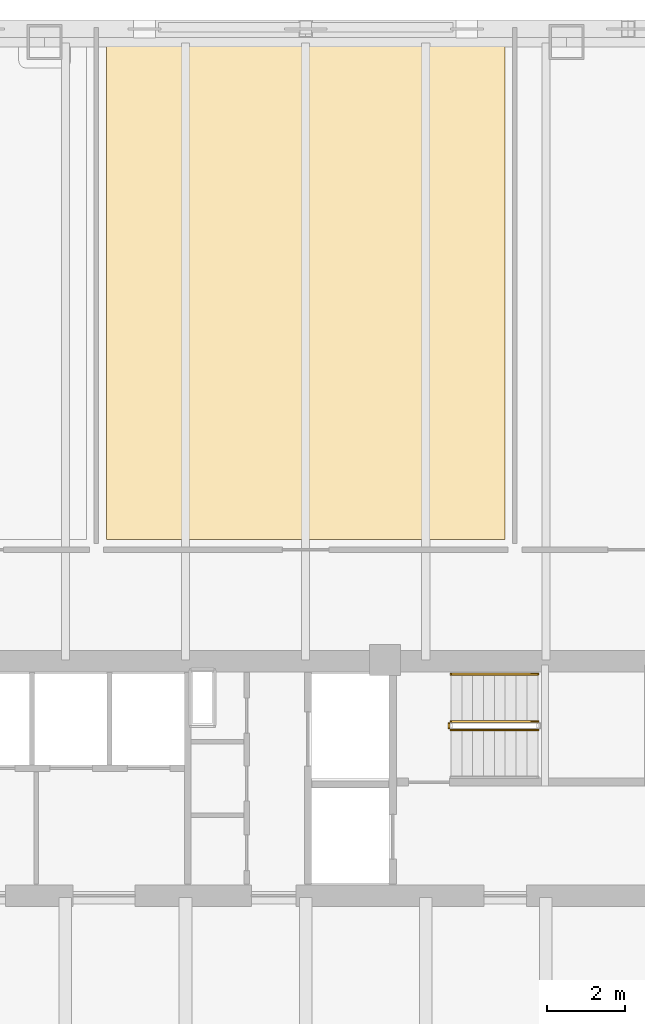
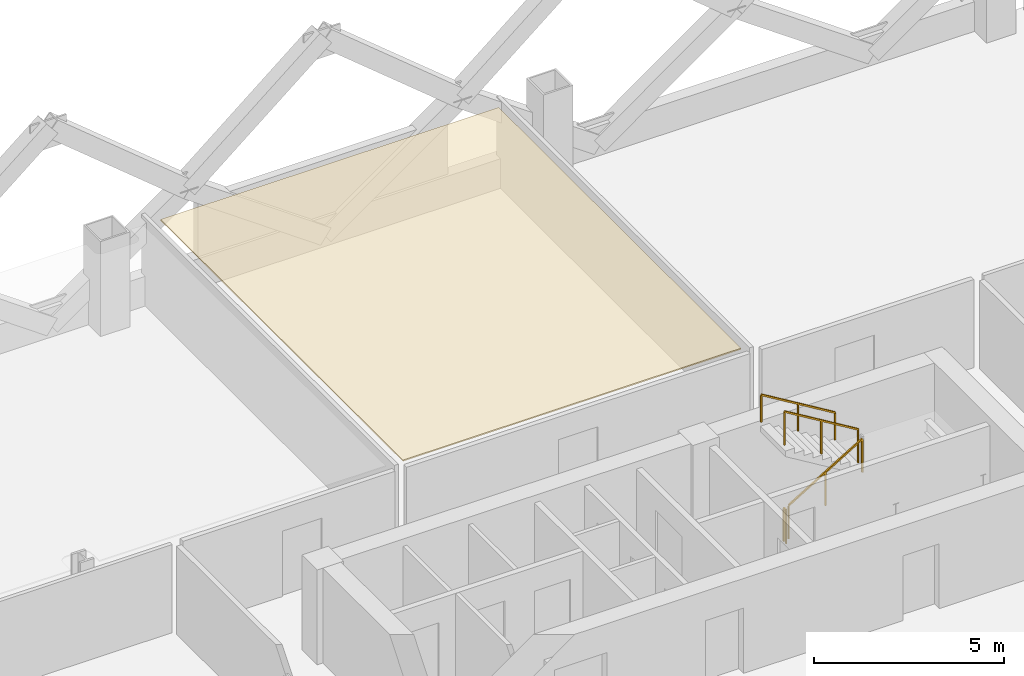
# One storey, part 10 of 12: 4 railings, 1 covering.
"""IFC4 building model written with IfcOpenShell, lengths in metres."""

from ifc_helpers import new_model, si_unit, direction, frame, origin, origin_2d, place, context, subcontext, project, spatial, polyline, rectangle, outline, extrude, material, layer, layer_set, type_object, element, save


model = new_model("IFC4")

# Units and contexts
model_context = context("Model", 3, precision=1e-05, world=origin(), true_north=direction((0.0, 1.0)))
body_context = subcontext(model_context, "Body", "Model", "MODEL_VIEW")
ifc_project = project(units=[si_unit("LENGTHUNIT", "METRE"), si_unit("AREAUNIT", "SQUARE_METRE"), si_unit("VOLUMEUNIT", "CUBIC_METRE"), si_unit("PLANEANGLEUNIT", "RADIAN"), si_unit("MASSUNIT", "GRAM", prefix="KILO")], contexts=[model_context])

# Site, building, storey
site_placement = place(None, origin())
site = spatial("IfcSite", under=ifc_project, at=site_placement, CompositionType="ELEMENT")
building_placement = place(site_placement, origin())
building = spatial("IfcBuilding", under=site, at=building_placement, Name="Qhalaya Broadcast Tower", CompositionType="ELEMENT")
storey_placement = place(building_placement, frame((0.0, 0.0, 50.5)))
storey = spatial("IfcBuildingStorey", under=building, at=storey_placement, Name="L14", CompositionType="ELEMENT", Elevation=50.5)

# Covering
ifc_material_1 = material(Name="Acoustic Mineral-Fibre Ceiling")
ifc_layer = layer(ifc_material_1, 0.0400390625, Name="Acoustic Mineral-Fibre Ceiling")
ifc_layer_set = layer_set([ifc_layer], Name="Acoustic Mineral-Fibre Ceiling")
covering_type = type_object("IfcCoveringType", Name="Acoustic Mineral-Fibre Suspended Ceiling CLG-01", PredefinedType="CEILING", material=ifc_layer_set)
covering_placement = place(storey_placement, frame((0.0, 0.0, 2.7900390625)))
element("IfcCovering", 1, at=covering_placement, inside=storey, type_object=covering_type, Name="L14 Acoustic Suspended Ceiling 02", PredefinedType="CEILING", context=body_context, shape_type="SweptSolid", body=[
    extrude(outline(polyline([(-5.139892578125, 25.820068359375), (-5.139892578125, 13.06005859375), (5.139892578125, 13.06005859375), (5.139892578125, 25.820068359375), (-5.139892578125, 25.820068359375)])), origin(), (0.0, 0.0, 1.0), 0.0400390625),
])

# Railings
ifc_material_2 = material(Name="Powder-Coated Galvanised Steel", Category="steel")
railing_type_1 = type_object("IfcRailingType", Name="Stair Wall Handrail 900", PredefinedType="HANDRAIL", material=ifc_material_2)
railing_1_placement = place(storey_placement, frame((5.989990234375, 9.590087890625, 1.6943359375)))
element("IfcRailing", 2, at=railing_1_placement, inside=storey, type_object=railing_type_1, Name="L14 ST-1 Stair Handrail 2", PredefinedType="HANDRAIL", context=body_context, shape_type="SweptSolid", body=[
    extrude(rectangle(XDim=0.048095703125, YDim=0.048095703125, at=origin_2d()), frame((0.0, 0.0, 0.8759765625), z_axis=(-0.855512035549, 0.0, 0.517782924622), x_axis=(0.0, -1.0, 0.0)), (0.0, 0.0, 1.0), 2.618408203125),
    extrude(rectangle(XDim=0.0419921875, YDim=0.0419921875, at=origin_2d()), origin(), (0.0, 0.0, 1.0), 0.849853515625),
    extrude(rectangle(XDim=0.0419921875, YDim=0.0419921875, at=origin_2d()), frame((-1.1201171875, 0.0, 0.677734375)), (0.0, 0.0, 1.0), 0.849853515625),
    extrude(rectangle(XDim=0.0419921875, YDim=0.0419921875, at=origin_2d()), frame((-2.239990234375, 0.0, 1.355712890625)), (0.0, 0.0, 1.0), 0.849853515625),
])
railing_type_2 = type_object("IfcRailingType", Name="Stair Well & Landing Guardrail 1100", PredefinedType="GUARDRAIL", material=ifc_material_2)
railing_2_placement = place(storey_placement, frame((3.75, 8.14990234375, 0.16943359375)))
element("IfcRailing", 3, at=railing_2_placement, inside=storey, type_object=railing_type_2, Name="L14 ST-1 Stair Guard 1", PredefinedType="GUARDRAIL", context=body_context, shape_type="SweptSolid", body=[
    extrude(rectangle(XDim=0.048095703125, YDim=0.048095703125, at=origin_2d()), frame((0.0, 0.0, 1.076171875), z_axis=(0.855553338991, 0.0, 0.51771467445), x_axis=(0.0, 1.0, 0.0)), (0.0, 0.0, 1.0), 2.6181640625),
    extrude(rectangle(XDim=0.0419921875, YDim=0.0419921875, at=origin_2d()), origin(), (0.0, 0.0, 1.0), 1.050048828125),
    extrude(rectangle(XDim=0.0419921875, YDim=0.0419921875, at=origin_2d()), frame((1.1201171875, 0.0, 0.677734375)), (0.0, 0.0, 1.0), 1.050048828125),
    extrude(rectangle(XDim=0.0419921875, YDim=0.0419921875, at=origin_2d()), frame((2.239990234375, 0.0, 1.35546875)), (0.0, 0.0, 1.0), 1.050048828125),
])
railing_3_placement = place(storey_placement, frame((5.989990234375, 8.3701171875, 1.6943359375)))
element("IfcRailing", 4, at=railing_3_placement, inside=storey, type_object=railing_type_2, Name="L14 ST-1 Stair Guard 3", PredefinedType="GUARDRAIL", context=body_context, shape_type="SweptSolid", body=[
    extrude(rectangle(XDim=0.048095703125, YDim=0.048095703125, at=origin_2d()), frame((0.0, 0.0, 1.076171875), z_axis=(-0.855512035549, 0.0, 0.517782924622), x_axis=(0.0, -1.0, 0.0)), (0.0, 0.0, 1.0), 2.618408203125),
    extrude(rectangle(XDim=0.0419921875, YDim=0.0419921875, at=origin_2d()), origin(), (0.0, 0.0, 1.0), 1.050048828125),
    extrude(rectangle(XDim=0.0419921875, YDim=0.0419921875, at=origin_2d()), frame((-1.1201171875, 0.0, 0.677734375)), (0.0, 0.0, 1.0), 1.050048828125),
    extrude(rectangle(XDim=0.0419921875, YDim=0.0419921875, at=origin_2d()), frame((-2.239990234375, 0.0, 1.355712890625)), (0.0, 0.0, 1.0), 1.050048828125),
])
railing_4_placement = place(storey_placement, frame((3.699951171875, 8.199951171875, 0.0)))
element("IfcRailing", 5, at=railing_4_placement, inside=storey, type_object=railing_type_2, Name="L14 ST-1 Stair Guard 4", PredefinedType="GUARDRAIL", context=body_context, shape_type="SweptSolid", body=[
    extrude(rectangle(XDim=0.048095703125, YDim=0.048095703125, at=origin_2d()), frame((0.0, 0.0, 1.076171875), z_axis=(0.0, 1.0, 0.0), x_axis=(-1.0, 0.0, 0.0)), (0.0, 0.0, 1.0), 0.1201171875),
    extrude(rectangle(XDim=0.0419921875, YDim=0.0419921875, at=origin_2d()), origin(), (0.0, 0.0, 1.0), 1.050048828125),
    extrude(rectangle(XDim=0.0419921875, YDim=0.0419921875, at=origin_2d()), frame((0.0, 0.1201171875, 0.0)), (0.0, 0.0, 1.0), 1.050048828125),
])

save(model, "model.ifc")
